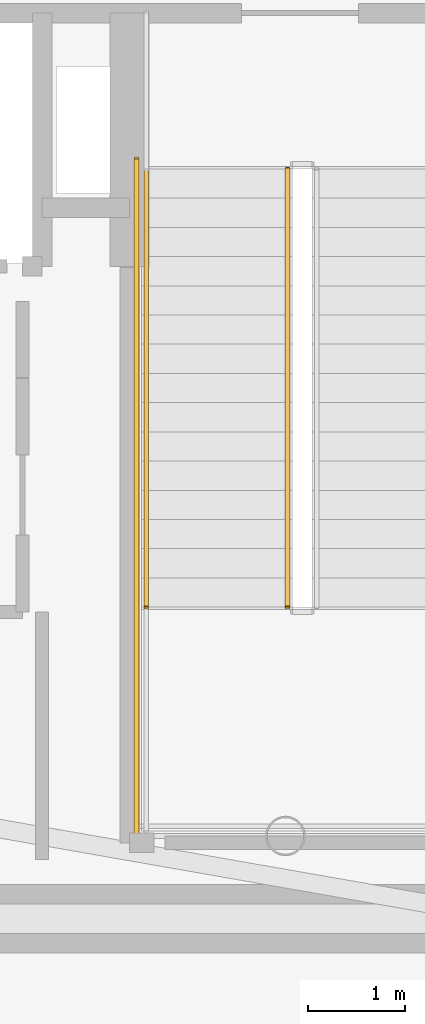
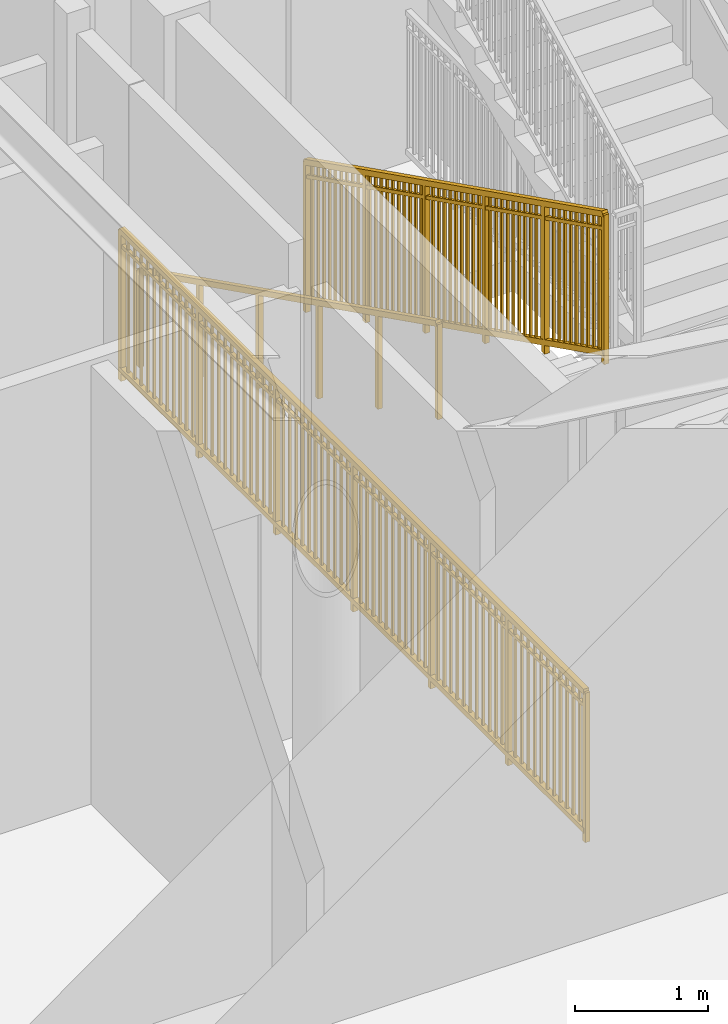
# One storey, part 10 of 12: 3 railings.
"""IFC4 building model written with IfcOpenShell, lengths in metres."""

from ifc_helpers import new_model, si_unit, direction, frame, origin, origin_2d, place, context, subcontext, project, spatial, rectangle, extrude, source, transform, mapped, material, type_object, element, save


model = new_model("IFC4")

# Units and contexts
model_context = context("Model", 3, precision=1e-05, world=origin(), true_north=direction((0.0, 1.0)))
body_context = subcontext(model_context, "Body", "Model", "MODEL_VIEW")
ifc_project = project(units=[si_unit("LENGTHUNIT", "METRE"), si_unit("AREAUNIT", "SQUARE_METRE"), si_unit("VOLUMEUNIT", "CUBIC_METRE"), si_unit("PLANEANGLEUNIT", "RADIAN"), si_unit("MASSUNIT", "GRAM", prefix="KILO")], contexts=[model_context])

# Site, building, storey
site_placement = place(None, origin())
site = spatial("IfcSite", under=ifc_project, at=site_placement, CompositionType="ELEMENT")
building_placement = place(site_placement, origin())
building = spatial("IfcBuilding", under=site, at=building_placement, Name="Linh Dai School and Residence Tower", CompositionType="ELEMENT")
storey_placement = place(building_placement, frame((0.0, 0.0, 368.39990234375)))
storey = spatial("IfcBuildingStorey", under=building, at=storey_placement, Name="L91", CompositionType="ELEMENT", Elevation=368.39990234375)

# Railings
ifc_material_1 = material(Name="Structural Steel S355JR", Category="steel")
railing_type_1 = type_object("IfcRailingType", Name="RL-ST-GUARD-1400", PredefinedType="GUARDRAIL", material=ifc_material_1)
shared_shape_1 = source(origin(), body_context, "Body", "SweptSolid", [
    extrude(rectangle(XDim=0.048095703125, YDim=0.048095703125, at=origin_2d()), frame((0.0, 0.0, 1.3759765625), z_axis=(0.0, -0.894427191, 0.4472135955), x_axis=(1.0, 0.0, 0.0)), (0.0, 0.0, 1.0), 5.03125),
    extrude(rectangle(XDim=0.048095703125, YDim=0.048095703125, at=origin_2d()), frame((0.0, 0.0, 0.10009765625), z_axis=(0.0, -0.894427191, 0.4472135955), x_axis=(1.0, 0.0, 0.0)), (0.0, 0.0, 1.0), 5.03125),
    extrude(rectangle(XDim=0.030029296875, YDim=0.030029296875, at=origin_2d()), frame((0.0, 0.0, 1.239990234375), z_axis=(0.0, -0.894427191, 0.4472135955), x_axis=(1.0, 0.0, 0.0)), (0.0, 0.0, 1.0), 5.03125),
    extrude(rectangle(XDim=0.02001953125, YDim=0.02001953125, at=origin_2d()), frame((0.0, -0.08642578125, 0.143310546875)), (0.0, 0.0, 1.0), 1.251708984375),
    extrude(rectangle(XDim=0.02001953125, YDim=0.02001953125, at=origin_2d()), frame((0.0, -0.173095703125, 0.1865234375)), (0.0, 0.0, 1.0), 1.251708984375),
    extrude(rectangle(XDim=0.02001953125, YDim=0.02001953125, at=origin_2d()), frame((0.0, -0.259521484375, 0.22998046875)), (0.0, 0.0, 1.0), 1.251708984375),
    extrude(rectangle(XDim=0.02001953125, YDim=0.02001953125, at=origin_2d()), frame((0.0, -0.34619140625, 0.273193359375)), (0.0, 0.0, 1.0), 1.251708984375),
    extrude(rectangle(XDim=0.02001953125, YDim=0.02001953125, at=origin_2d()), frame((0.0, -0.4326171875, 0.31640625)), (0.0, 0.0, 1.0), 1.251708984375),
    extrude(rectangle(XDim=0.02001953125, YDim=0.02001953125, at=origin_2d()), frame((0.0, -0.519287109375, 0.359619140625)), (0.0, 0.0, 1.0), 1.251708984375),
    extrude(rectangle(XDim=0.02001953125, YDim=0.02001953125, at=origin_2d()), frame((0.0, -0.605712890625, 0.403076171875)), (0.0, 0.0, 1.0), 1.251708984375),
    extrude(rectangle(XDim=0.02001953125, YDim=0.02001953125, at=origin_2d()), frame((0.0, -0.6923828125, 0.4462890625)), (0.0, 0.0, 1.0), 1.251708984375),
    extrude(rectangle(XDim=0.02001953125, YDim=0.02001953125, at=origin_2d()), frame((0.0, -0.77880859375, 0.489501953125)), (0.0, 0.0, 1.0), 1.251708984375),
    extrude(rectangle(XDim=0.02001953125, YDim=0.02001953125, at=origin_2d()), frame((0.0, -0.951904296875, 0.576171875)), (0.0, 0.0, 1.0), 1.251708984375),
    extrude(rectangle(XDim=0.02001953125, YDim=0.02001953125, at=origin_2d()), frame((0.0, -1.03857421875, 0.619384765625)), (0.0, 0.0, 1.0), 1.251708984375),
    extrude(rectangle(XDim=0.02001953125, YDim=0.02001953125, at=origin_2d()), frame((0.0, -1.125, 0.66259765625)), (0.0, 0.0, 1.0), 1.251708984375),
    extrude(rectangle(XDim=0.02001953125, YDim=0.02001953125, at=origin_2d()), frame((0.0, -1.21142578125, 0.705810546875)), (0.0, 0.0, 1.0), 1.251708984375),
    extrude(rectangle(XDim=0.02001953125, YDim=0.02001953125, at=origin_2d()), frame((0.0, -1.298095703125, 0.7490234375)), (0.0, 0.0, 1.0), 1.251708984375),
    extrude(rectangle(XDim=0.02001953125, YDim=0.02001953125, at=origin_2d()), frame((0.0, -1.384521484375, 0.79248046875)), (0.0, 0.0, 1.0), 1.251708984375),
    extrude(rectangle(XDim=0.02001953125, YDim=0.02001953125, at=origin_2d()), frame((0.0, -1.47119140625, 0.835693359375)), (0.0, 0.0, 1.0), 1.251708984375),
    extrude(rectangle(XDim=0.02001953125, YDim=0.02001953125, at=origin_2d()), frame((0.0, -1.5576171875, 0.87890625)), (0.0, 0.0, 1.0), 1.251708984375),
    extrude(rectangle(XDim=0.02001953125, YDim=0.02001953125, at=origin_2d()), frame((0.0, -1.644287109375, 0.922119140625)), (0.0, 0.0, 1.0), 1.251708984375),
    extrude(rectangle(XDim=0.02001953125, YDim=0.02001953125, at=origin_2d()), frame((0.0, -1.730712890625, 0.965576171875)), (0.0, 0.0, 1.0), 1.251708984375),
    extrude(rectangle(XDim=0.02001953125, YDim=0.02001953125, at=origin_2d()), frame((0.0, -1.90380859375, 1.052001953125)), (0.0, 0.0, 1.0), 1.251708984375),
    extrude(rectangle(XDim=0.02001953125, YDim=0.02001953125, at=origin_2d()), frame((0.0, -1.990478515625, 1.09521484375)), (0.0, 0.0, 1.0), 1.251708984375),
    extrude(rectangle(XDim=0.02001953125, YDim=0.02001953125, at=origin_2d()), frame((0.0, -2.076904296875, 1.138671875)), (0.0, 0.0, 1.0), 1.251708984375),
    extrude(rectangle(XDim=0.02001953125, YDim=0.02001953125, at=origin_2d()), frame((0.0, -2.16357421875, 1.181884765625)), (0.0, 0.0, 1.0), 1.251708984375),
    extrude(rectangle(XDim=0.02001953125, YDim=0.02001953125, at=origin_2d()), frame((0.0, -2.25, 1.22509765625)), (0.0, 0.0, 1.0), 1.251708984375),
    extrude(rectangle(XDim=0.02001953125, YDim=0.02001953125, at=origin_2d()), frame((0.0, -2.33642578125, 1.268310546875)), (0.0, 0.0, 1.0), 1.251708984375),
    extrude(rectangle(XDim=0.02001953125, YDim=0.02001953125, at=origin_2d()), frame((0.0, -2.423095703125, 1.3115234375)), (0.0, 0.0, 1.0), 1.251708984375),
    extrude(rectangle(XDim=0.02001953125, YDim=0.02001953125, at=origin_2d()), frame((0.0, -2.509521484375, 1.35498046875)), (0.0, 0.0, 1.0), 1.251708984375),
    extrude(rectangle(XDim=0.02001953125, YDim=0.02001953125, at=origin_2d()), frame((0.0, -2.59619140625, 1.398193359375)), (0.0, 0.0, 1.0), 1.251708984375),
    extrude(rectangle(XDim=0.02001953125, YDim=0.02001953125, at=origin_2d()), frame((0.0, -2.769287109375, 1.484619140625)), (0.0, 0.0, 1.0), 1.251708984375),
    extrude(rectangle(XDim=0.02001953125, YDim=0.02001953125, at=origin_2d()), frame((0.0, -2.855712890625, 1.528076171875)), (0.0, 0.0, 1.0), 1.251708984375),
    extrude(rectangle(XDim=0.02001953125, YDim=0.02001953125, at=origin_2d()), frame((0.0, -2.9423828125, 1.5712890625)), (0.0, 0.0, 1.0), 1.251708984375),
    extrude(rectangle(XDim=0.02001953125, YDim=0.02001953125, at=origin_2d()), frame((0.0, -3.02880859375, 1.614501953125)), (0.0, 0.0, 1.0), 1.251708984375),
    extrude(rectangle(XDim=0.02001953125, YDim=0.02001953125, at=origin_2d()), frame((0.0, -3.115478515625, 1.65771484375)), (0.0, 0.0, 1.0), 1.251708984375),
    extrude(rectangle(XDim=0.02001953125, YDim=0.02001953125, at=origin_2d()), frame((0.0, -3.201904296875, 1.701171875)), (0.0, 0.0, 1.0), 1.251708984375),
    extrude(rectangle(XDim=0.02001953125, YDim=0.02001953125, at=origin_2d()), frame((0.0, -3.28857421875, 1.744384765625)), (0.0, 0.0, 1.0), 1.251708984375),
    extrude(rectangle(XDim=0.02001953125, YDim=0.02001953125, at=origin_2d()), frame((0.0, -3.375, 1.78759765625)), (0.0, 0.0, 1.0), 1.251708984375),
    extrude(rectangle(XDim=0.02001953125, YDim=0.02001953125, at=origin_2d()), frame((0.0, -3.46142578125, 1.830810546875)), (0.0, 0.0, 1.0), 1.251708984375),
    extrude(rectangle(XDim=0.02001953125, YDim=0.02001953125, at=origin_2d()), frame((0.0, -3.548095703125, 1.8740234375)), (0.0, 0.0, 1.0), 1.251708984375),
    extrude(rectangle(XDim=0.02001953125, YDim=0.02001953125, at=origin_2d()), frame((0.0, -3.72119140625, 1.960693359375)), (0.0, 0.0, 1.0), 1.251708984375),
    extrude(rectangle(XDim=0.02001953125, YDim=0.02001953125, at=origin_2d()), frame((0.0, -3.8076171875, 2.00390625)), (0.0, 0.0, 1.0), 1.251708984375),
    extrude(rectangle(XDim=0.02001953125, YDim=0.02001953125, at=origin_2d()), frame((0.0, -3.894287109375, 2.047119140625)), (0.0, 0.0, 1.0), 1.251708984375),
    extrude(rectangle(XDim=0.02001953125, YDim=0.02001953125, at=origin_2d()), frame((0.0, -3.980712890625, 2.090576171875)), (0.0, 0.0, 1.0), 1.251708984375),
    extrude(rectangle(XDim=0.02001953125, YDim=0.02001953125, at=origin_2d()), frame((0.0, -4.0673828125, 2.1337890625)), (0.0, 0.0, 1.0), 1.251708984375),
    extrude(rectangle(XDim=0.02001953125, YDim=0.02001953125, at=origin_2d()), frame((0.0, -4.15380859375, 2.177001953125)), (0.0, 0.0, 1.0), 1.251708984375),
    extrude(rectangle(XDim=0.02001953125, YDim=0.02001953125, at=origin_2d()), frame((0.0, -4.240478515625, 2.22021484375)), (0.0, 0.0, 1.0), 1.251708984375),
    extrude(rectangle(XDim=0.02001953125, YDim=0.02001953125, at=origin_2d()), frame((0.0, -4.326904296875, 2.263671875)), (0.0, 0.0, 1.0), 1.251708984375),
    extrude(rectangle(XDim=0.02001953125, YDim=0.02001953125, at=origin_2d()), frame((0.0, -4.41357421875, 2.306884765625)), (0.0, 0.0, 1.0), 1.251708984375),
    extrude(rectangle(XDim=0.0419921875, YDim=0.0419921875, at=origin_2d()), origin(), (0.0, 0.0, 1.0), 1.3759765625),
    extrude(rectangle(XDim=0.0419921875, YDim=0.0419921875, at=origin_2d()), frame((0.0, -0.89990234375, 0.449951171875)), (0.0, 0.0, 1.0), 1.3759765625),
    extrude(rectangle(XDim=0.0419921875, YDim=0.0419921875, at=origin_2d()), frame((0.0, -1.800048828125, 0.89990234375)), (0.0, 0.0, 1.0), 1.3759765625),
    extrude(rectangle(XDim=0.0419921875, YDim=0.0419921875, at=origin_2d()), frame((0.0, -2.699951171875, 1.35009765625)), (0.0, 0.0, 1.0), 1.3759765625),
    extrude(rectangle(XDim=0.0419921875, YDim=0.0419921875, at=origin_2d()), frame((0.0, -3.60009765625, 1.800048828125)), (0.0, 0.0, 1.0), 1.3759765625),
    extrude(rectangle(XDim=0.0419921875, YDim=0.0419921875, at=origin_2d()), frame((0.0, -4.5, 2.25)), (0.0, 0.0, 1.0), 1.3759765625),
])
railing_1_placement = place(storey_placement, frame((42.52001953125, 28.25, 0.150146484375)))
element("IfcRailing", 1, at=railing_1_placement, inside=storey, type_object=railing_type_1, Name="L91 ST2 stair guard 1", PredefinedType="GUARDRAIL", context=body_context, shape_type="MappedRepresentation", body=[
    mapped(shared_shape_1, transform((0.0, 0.0, 0.0), x_axis=(1.0, 0.0, 0.0), y_axis=(0.0, 1.0, 0.0), z_axis=(0.0, 0.0, 1.0), scale=1.0)),
])
ifc_material_2 = material(Name="Brushed Stainless Steel Handrail", Category="steel")
railing_type_2 = type_object("IfcRailingType", Name="RL-ST-HANDRAIL-900", PredefinedType="HANDRAIL", material=ifc_material_2)
shared_shape_2 = source(origin(), body_context, "Body", "SweptSolid", [
    extrude(rectangle(XDim=0.048095703125, YDim=0.048095703125, at=origin_2d()), frame((0.0, 0.0, 0.8759765625), z_axis=(0.0, -0.894427191, 0.4472135955), x_axis=(1.0, 0.0, 0.0)), (0.0, 0.0, 1.0), 5.03125),
    extrude(rectangle(XDim=0.0419921875, YDim=0.0419921875, at=origin_2d()), origin(), (0.0, 0.0, 1.0), 0.8759765625),
    extrude(rectangle(XDim=0.0419921875, YDim=0.0419921875, at=origin_2d()), frame((0.0, -0.89990234375, 0.449951171875)), (0.0, 0.0, 1.0), 0.8759765625),
    extrude(rectangle(XDim=0.0419921875, YDim=0.0419921875, at=origin_2d()), frame((0.0, -1.800048828125, 0.89990234375)), (0.0, 0.0, 1.0), 0.8759765625),
    extrude(rectangle(XDim=0.0419921875, YDim=0.0419921875, at=origin_2d()), frame((0.0, -2.699951171875, 1.35009765625)), (0.0, 0.0, 1.0), 0.8759765625),
    extrude(rectangle(XDim=0.0419921875, YDim=0.0419921875, at=origin_2d()), frame((0.0, -3.60009765625, 1.800048828125)), (0.0, 0.0, 1.0), 0.8759765625),
    extrude(rectangle(XDim=0.0419921875, YDim=0.0419921875, at=origin_2d()), frame((0.0, -4.5, 2.25)), (0.0, 0.0, 1.0), 0.8759765625),
])
railing_2_placement = place(storey_placement, frame((41.070068359375, 28.25, 0.150146484375)))
element("IfcRailing", 2, at=railing_2_placement, inside=storey, type_object=railing_type_2, Name="L91 ST2 stair handrail 1", PredefinedType="HANDRAIL", context=body_context, shape_type="MappedRepresentation", body=[
    mapped(shared_shape_2, transform((0.0, 0.0, 0.0), x_axis=(1.0, 0.0, 0.0), y_axis=(0.0, 1.0, 0.0), z_axis=(0.0, 0.0, 1.0), scale=1.0)),
])
shared_shape_3 = source(origin(), body_context, "Body", "SweptSolid", [
    extrude(rectangle(XDim=0.048095703125, YDim=0.048095703125, at=origin_2d()), frame((0.0, 0.0, 1.3759765625), z_axis=(0.0, -1.0, 0.0), x_axis=(1.0, 0.0, 0.0)), (0.0, 0.0, 1.0), 7.0),
    extrude(rectangle(XDim=0.048095703125, YDim=0.048095703125, at=origin_2d()), frame((0.0, 0.0, 0.10009765625), z_axis=(0.0, -1.0, 0.0), x_axis=(1.0, 0.0, 0.0)), (0.0, 0.0, 1.0), 7.0),
    extrude(rectangle(XDim=0.030029296875, YDim=0.030029296875, at=origin_2d()), frame((0.0, 0.0, 1.239990234375), z_axis=(0.0, -1.0, 0.0), x_axis=(1.0, 0.0, 0.0)), (0.0, 0.0, 1.0), 7.0),
    extrude(rectangle(XDim=0.02001953125, YDim=0.02001953125, at=origin_2d()), frame((0.0, -0.09716796875, 0.10009765625)), (0.0, 0.0, 1.0), 1.251708984375),
    extrude(rectangle(XDim=0.02001953125, YDim=0.02001953125, at=origin_2d()), frame((0.0, -0.1943359375, 0.10009765625)), (0.0, 0.0, 1.0), 1.251708984375),
    extrude(rectangle(XDim=0.02001953125, YDim=0.02001953125, at=origin_2d()), frame((0.0, -0.291748046875, 0.10009765625)), (0.0, 0.0, 1.0), 1.251708984375),
    extrude(rectangle(XDim=0.02001953125, YDim=0.02001953125, at=origin_2d()), frame((0.0, -0.388916015625, 0.10009765625)), (0.0, 0.0, 1.0), 1.251708984375),
    extrude(rectangle(XDim=0.02001953125, YDim=0.02001953125, at=origin_2d()), frame((0.0, -0.486083984375, 0.10009765625)), (0.0, 0.0, 1.0), 1.251708984375),
    extrude(rectangle(XDim=0.02001953125, YDim=0.02001953125, at=origin_2d()), frame((0.0, -0.583251953125, 0.10009765625)), (0.0, 0.0, 1.0), 1.251708984375),
    extrude(rectangle(XDim=0.02001953125, YDim=0.02001953125, at=origin_2d()), frame((0.0, -0.6806640625, 0.10009765625)), (0.0, 0.0, 1.0), 1.251708984375),
    extrude(rectangle(XDim=0.02001953125, YDim=0.02001953125, at=origin_2d()), frame((0.0, -0.77783203125, 0.10009765625)), (0.0, 0.0, 1.0), 1.251708984375),
    extrude(rectangle(XDim=0.02001953125, YDim=0.02001953125, at=origin_2d()), frame((0.0, -0.875, 0.10009765625)), (0.0, 0.0, 1.0), 1.251708984375),
    extrude(rectangle(XDim=0.02001953125, YDim=0.02001953125, at=origin_2d()), frame((0.0, -0.97216796875, 0.10009765625)), (0.0, 0.0, 1.0), 1.251708984375),
    extrude(rectangle(XDim=0.02001953125, YDim=0.02001953125, at=origin_2d()), frame((0.0, -1.0693359375, 0.10009765625)), (0.0, 0.0, 1.0), 1.251708984375),
    extrude(rectangle(XDim=0.02001953125, YDim=0.02001953125, at=origin_2d()), frame((0.0, -1.263916015625, 0.10009765625)), (0.0, 0.0, 1.0), 1.251708984375),
    extrude(rectangle(XDim=0.02001953125, YDim=0.02001953125, at=origin_2d()), frame((0.0, -1.361083984375, 0.10009765625)), (0.0, 0.0, 1.0), 1.251708984375),
    extrude(rectangle(XDim=0.02001953125, YDim=0.02001953125, at=origin_2d()), frame((0.0, -1.458251953125, 0.10009765625)), (0.0, 0.0, 1.0), 1.251708984375),
    extrude(rectangle(XDim=0.02001953125, YDim=0.02001953125, at=origin_2d()), frame((0.0, -1.5556640625, 0.10009765625)), (0.0, 0.0, 1.0), 1.251708984375),
    extrude(rectangle(XDim=0.02001953125, YDim=0.02001953125, at=origin_2d()), frame((0.0, -1.65283203125, 0.10009765625)), (0.0, 0.0, 1.0), 1.251708984375),
    extrude(rectangle(XDim=0.02001953125, YDim=0.02001953125, at=origin_2d()), frame((0.0, -1.75, 0.10009765625)), (0.0, 0.0, 1.0), 1.251708984375),
    extrude(rectangle(XDim=0.02001953125, YDim=0.02001953125, at=origin_2d()), frame((0.0, -1.84716796875, 0.10009765625)), (0.0, 0.0, 1.0), 1.251708984375),
    extrude(rectangle(XDim=0.02001953125, YDim=0.02001953125, at=origin_2d()), frame((0.0, -1.9443359375, 0.10009765625)), (0.0, 0.0, 1.0), 1.251708984375),
    extrude(rectangle(XDim=0.02001953125, YDim=0.02001953125, at=origin_2d()), frame((0.0, -2.041748046875, 0.10009765625)), (0.0, 0.0, 1.0), 1.251708984375),
    extrude(rectangle(XDim=0.02001953125, YDim=0.02001953125, at=origin_2d()), frame((0.0, -2.138916015625, 0.10009765625)), (0.0, 0.0, 1.0), 1.251708984375),
    extrude(rectangle(XDim=0.02001953125, YDim=0.02001953125, at=origin_2d()), frame((0.0, -2.236083984375, 0.10009765625)), (0.0, 0.0, 1.0), 1.251708984375),
    extrude(rectangle(XDim=0.02001953125, YDim=0.02001953125, at=origin_2d()), frame((0.0, -2.4306640625, 0.10009765625)), (0.0, 0.0, 1.0), 1.251708984375),
    extrude(rectangle(XDim=0.02001953125, YDim=0.02001953125, at=origin_2d()), frame((0.0, -2.52783203125, 0.10009765625)), (0.0, 0.0, 1.0), 1.251708984375),
    extrude(rectangle(XDim=0.02001953125, YDim=0.02001953125, at=origin_2d()), frame((0.0, -2.625, 0.10009765625)), (0.0, 0.0, 1.0), 1.251708984375),
    extrude(rectangle(XDim=0.02001953125, YDim=0.02001953125, at=origin_2d()), frame((0.0, -2.72216796875, 0.10009765625)), (0.0, 0.0, 1.0), 1.251708984375),
    extrude(rectangle(XDim=0.02001953125, YDim=0.02001953125, at=origin_2d()), frame((0.0, -2.8193359375, 0.10009765625)), (0.0, 0.0, 1.0), 1.251708984375),
    extrude(rectangle(XDim=0.02001953125, YDim=0.02001953125, at=origin_2d()), frame((0.0, -2.916748046875, 0.10009765625)), (0.0, 0.0, 1.0), 1.251708984375),
    extrude(rectangle(XDim=0.02001953125, YDim=0.02001953125, at=origin_2d()), frame((0.0, -3.013916015625, 0.10009765625)), (0.0, 0.0, 1.0), 1.251708984375),
    extrude(rectangle(XDim=0.02001953125, YDim=0.02001953125, at=origin_2d()), frame((0.0, -3.111083984375, 0.10009765625)), (0.0, 0.0, 1.0), 1.251708984375),
    extrude(rectangle(XDim=0.02001953125, YDim=0.02001953125, at=origin_2d()), frame((0.0, -3.208251953125, 0.10009765625)), (0.0, 0.0, 1.0), 1.251708984375),
    extrude(rectangle(XDim=0.02001953125, YDim=0.02001953125, at=origin_2d()), frame((0.0, -3.3056640625, 0.10009765625)), (0.0, 0.0, 1.0), 1.251708984375),
    extrude(rectangle(XDim=0.02001953125, YDim=0.02001953125, at=origin_2d()), frame((0.0, -3.40283203125, 0.10009765625)), (0.0, 0.0, 1.0), 1.251708984375),
    extrude(rectangle(XDim=0.02001953125, YDim=0.02001953125, at=origin_2d()), frame((0.0, -3.59716796875, 0.10009765625)), (0.0, 0.0, 1.0), 1.251708984375),
    extrude(rectangle(XDim=0.02001953125, YDim=0.02001953125, at=origin_2d()), frame((0.0, -3.6943359375, 0.10009765625)), (0.0, 0.0, 1.0), 1.251708984375),
    extrude(rectangle(XDim=0.02001953125, YDim=0.02001953125, at=origin_2d()), frame((0.0, -3.791748046875, 0.10009765625)), (0.0, 0.0, 1.0), 1.251708984375),
    extrude(rectangle(XDim=0.02001953125, YDim=0.02001953125, at=origin_2d()), frame((0.0, -3.888916015625, 0.10009765625)), (0.0, 0.0, 1.0), 1.251708984375),
    extrude(rectangle(XDim=0.02001953125, YDim=0.02001953125, at=origin_2d()), frame((0.0, -3.986083984375, 0.10009765625)), (0.0, 0.0, 1.0), 1.251708984375),
    extrude(rectangle(XDim=0.02001953125, YDim=0.02001953125, at=origin_2d()), frame((0.0, -4.083251953125, 0.10009765625)), (0.0, 0.0, 1.0), 1.251708984375),
    extrude(rectangle(XDim=0.02001953125, YDim=0.02001953125, at=origin_2d()), frame((0.0, -4.1806640625, 0.10009765625)), (0.0, 0.0, 1.0), 1.251708984375),
    extrude(rectangle(XDim=0.02001953125, YDim=0.02001953125, at=origin_2d()), frame((0.0, -4.27783203125, 0.10009765625)), (0.0, 0.0, 1.0), 1.251708984375),
    extrude(rectangle(XDim=0.02001953125, YDim=0.02001953125, at=origin_2d()), frame((0.0, -4.375, 0.10009765625)), (0.0, 0.0, 1.0), 1.251708984375),
    extrude(rectangle(XDim=0.02001953125, YDim=0.02001953125, at=origin_2d()), frame((0.0, -4.47216796875, 0.10009765625)), (0.0, 0.0, 1.0), 1.251708984375),
    extrude(rectangle(XDim=0.02001953125, YDim=0.02001953125, at=origin_2d()), frame((0.0, -4.5693359375, 0.10009765625)), (0.0, 0.0, 1.0), 1.251708984375),
    extrude(rectangle(XDim=0.02001953125, YDim=0.02001953125, at=origin_2d()), frame((0.0, -4.763916015625, 0.10009765625)), (0.0, 0.0, 1.0), 1.251708984375),
    extrude(rectangle(XDim=0.02001953125, YDim=0.02001953125, at=origin_2d()), frame((0.0, -4.861083984375, 0.10009765625)), (0.0, 0.0, 1.0), 1.251708984375),
    extrude(rectangle(XDim=0.02001953125, YDim=0.02001953125, at=origin_2d()), frame((0.0, -4.958251953125, 0.10009765625)), (0.0, 0.0, 1.0), 1.251708984375),
    extrude(rectangle(XDim=0.02001953125, YDim=0.02001953125, at=origin_2d()), frame((0.0, -5.0556640625, 0.10009765625)), (0.0, 0.0, 1.0), 1.251708984375),
    extrude(rectangle(XDim=0.02001953125, YDim=0.02001953125, at=origin_2d()), frame((0.0, -5.15283203125, 0.10009765625)), (0.0, 0.0, 1.0), 1.251708984375),
    extrude(rectangle(XDim=0.02001953125, YDim=0.02001953125, at=origin_2d()), frame((0.0, -5.25, 0.10009765625)), (0.0, 0.0, 1.0), 1.251708984375),
    extrude(rectangle(XDim=0.02001953125, YDim=0.02001953125, at=origin_2d()), frame((0.0, -5.34716796875, 0.10009765625)), (0.0, 0.0, 1.0), 1.251708984375),
    extrude(rectangle(XDim=0.02001953125, YDim=0.02001953125, at=origin_2d()), frame((0.0, -5.4443359375, 0.10009765625)), (0.0, 0.0, 1.0), 1.251708984375),
    extrude(rectangle(XDim=0.02001953125, YDim=0.02001953125, at=origin_2d()), frame((0.0, -5.541748046875, 0.10009765625)), (0.0, 0.0, 1.0), 1.251708984375),
    extrude(rectangle(XDim=0.02001953125, YDim=0.02001953125, at=origin_2d()), frame((0.0, -5.638916015625, 0.10009765625)), (0.0, 0.0, 1.0), 1.251708984375),
    extrude(rectangle(XDim=0.02001953125, YDim=0.02001953125, at=origin_2d()), frame((0.0, -5.736083984375, 0.10009765625)), (0.0, 0.0, 1.0), 1.251708984375),
    extrude(rectangle(XDim=0.02001953125, YDim=0.02001953125, at=origin_2d()), frame((0.0, -5.9306640625, 0.10009765625)), (0.0, 0.0, 1.0), 1.251708984375),
    extrude(rectangle(XDim=0.02001953125, YDim=0.02001953125, at=origin_2d()), frame((0.0, -6.02783203125, 0.10009765625)), (0.0, 0.0, 1.0), 1.251708984375),
    extrude(rectangle(XDim=0.02001953125, YDim=0.02001953125, at=origin_2d()), frame((0.0, -6.125, 0.10009765625)), (0.0, 0.0, 1.0), 1.251708984375),
    extrude(rectangle(XDim=0.02001953125, YDim=0.02001953125, at=origin_2d()), frame((0.0, -6.22216796875, 0.10009765625)), (0.0, 0.0, 1.0), 1.251708984375),
    extrude(rectangle(XDim=0.02001953125, YDim=0.02001953125, at=origin_2d()), frame((0.0, -6.3193359375, 0.10009765625)), (0.0, 0.0, 1.0), 1.251708984375),
    extrude(rectangle(XDim=0.02001953125, YDim=0.02001953125, at=origin_2d()), frame((0.0, -6.416748046875, 0.10009765625)), (0.0, 0.0, 1.0), 1.251708984375),
    extrude(rectangle(XDim=0.02001953125, YDim=0.02001953125, at=origin_2d()), frame((0.0, -6.513916015625, 0.10009765625)), (0.0, 0.0, 1.0), 1.251708984375),
    extrude(rectangle(XDim=0.02001953125, YDim=0.02001953125, at=origin_2d()), frame((0.0, -6.611083984375, 0.10009765625)), (0.0, 0.0, 1.0), 1.251708984375),
    extrude(rectangle(XDim=0.02001953125, YDim=0.02001953125, at=origin_2d()), frame((0.0, -6.708251953125, 0.10009765625)), (0.0, 0.0, 1.0), 1.251708984375),
    extrude(rectangle(XDim=0.02001953125, YDim=0.02001953125, at=origin_2d()), frame((0.0, -6.8056640625, 0.10009765625)), (0.0, 0.0, 1.0), 1.251708984375),
    extrude(rectangle(XDim=0.02001953125, YDim=0.02001953125, at=origin_2d()), frame((0.0, -6.90283203125, 0.10009765625)), (0.0, 0.0, 1.0), 1.251708984375),
    extrude(rectangle(XDim=0.0419921875, YDim=0.0419921875, at=origin_2d()), origin(), (0.0, 0.0, 1.0), 1.3759765625),
    extrude(rectangle(XDim=0.0419921875, YDim=0.0419921875, at=origin_2d()), frame((0.0, -1.166748046875, 0.0)), (0.0, 0.0, 1.0), 1.3759765625),
    extrude(rectangle(XDim=0.0419921875, YDim=0.0419921875, at=origin_2d()), frame((0.0, -2.333251953125, 0.0)), (0.0, 0.0, 1.0), 1.3759765625),
    extrude(rectangle(XDim=0.0419921875, YDim=0.0419921875, at=origin_2d()), frame((0.0, -3.5, 0.0)), (0.0, 0.0, 1.0), 1.3759765625),
    extrude(rectangle(XDim=0.0419921875, YDim=0.0419921875, at=origin_2d()), frame((0.0, -4.666748046875, 0.0)), (0.0, 0.0, 1.0), 1.3759765625),
    extrude(rectangle(XDim=0.0419921875, YDim=0.0419921875, at=origin_2d()), frame((0.0, -5.833251953125, 0.0)), (0.0, 0.0, 1.0), 1.3759765625),
    extrude(rectangle(XDim=0.0419921875, YDim=0.0419921875, at=origin_2d()), frame((0.0, -7.0, 0.0)), (0.0, 0.0, 1.0), 1.3759765625),
])
railing_3_placement = place(storey_placement, frame((40.969970703125, 28.35009765625, 0.0)))
element("IfcRailing", 3, at=railing_3_placement, inside=storey, type_object=railing_type_1, Name="L91 ST2 stair guard 10", PredefinedType="GUARDRAIL", context=body_context, shape_type="MappedRepresentation", body=[
    mapped(shared_shape_3, transform((0.0, 0.0, 0.0), x_axis=(1.0, 0.0, 0.0), y_axis=(0.0, 1.0, 0.0), z_axis=(0.0, 0.0, 1.0), scale=1.0)),
])

save(model, "model.ifc")
